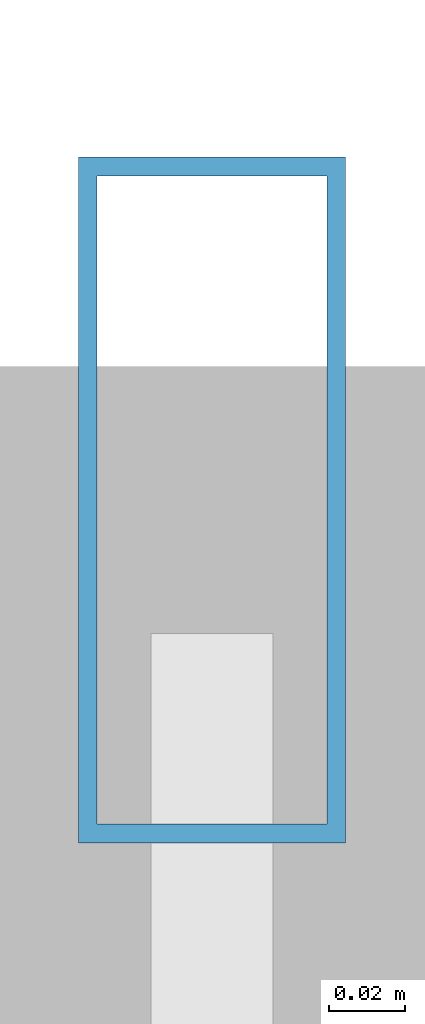
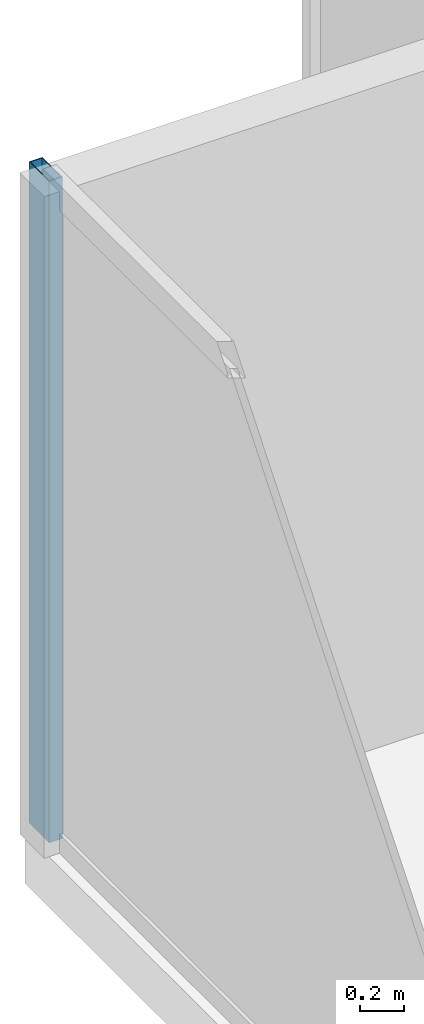
# One storey, part 17 of 28: 1 member, 1 element without a shape of its own.
"""IFC4 building model written with IfcOpenShell, lengths in metres."""

from ifc_helpers import new_model, si_unit, direction, frame, origin, origin_2d, place, context, subcontext, project, spatial, hollow_rectangle, extrude, source, transform, mapped, material, material_profile, profile_set, type_object, type_shapes, element, aggregate, save


model = new_model("IFC4")

# Units and contexts
model_context = context("Model", 3, precision=1e-05, world=origin(), true_north=direction((0.0, 1.0)))
body_context = subcontext(model_context, "Body", "Model", "MODEL_VIEW")
ifc_project = project(units=[si_unit("LENGTHUNIT", "METRE"), si_unit("AREAUNIT", "SQUARE_METRE"), si_unit("VOLUMEUNIT", "CUBIC_METRE"), si_unit("PLANEANGLEUNIT", "RADIAN"), si_unit("MASSUNIT", "GRAM", prefix="KILO")], contexts=[model_context])

# Site, building, storey
site_placement = place(None, origin())
site = spatial("IfcSite", under=ifc_project, at=site_placement, CompositionType="ELEMENT")
building_placement = place(site_placement, origin())
building = spatial("IfcBuilding", under=site, at=building_placement, Name="Krantzveldt Concourse Tower", CompositionType="ELEMENT")
storey_placement = place(building_placement, frame((0.0, 0.0, 32.89990234375)))
storey = spatial("IfcBuildingStorey", under=building, at=storey_placement, Name="L07", CompositionType="ELEMENT", Elevation=32.89990234375)

# Curtain wall, member
ifc_material = material(Name="Anodised aluminium 6063-T6", Category="aluminium")
curtain_wall_type = type_object("IfcCurtainWallType", Name="CW2", PredefinedType="USERDEFINED", material=ifc_material)
curtain_wall_placement = place(storey_placement, origin())
curtain_wall = element("IfcCurtainWall", 1, at=curtain_wall_placement, inside=storey, type_object=curtain_wall_type, Name="CW-L07-F01", ObjectType="UNITISED CURTAIN WALL", PredefinedType="USERDEFINED")
ifc_material_profile = material_profile(ifc_material, hollow_rectangle(XDim=0.070068359375, YDim=0.179931640625, WallThickness=0.0048828125, at=origin_2d()), Name="Anodised aluminium 6063-T6", Category="aluminium")
ifc_profile_set = profile_set([ifc_material_profile], Name="Anodised aluminium 6063-T6 - ALU-MULL 180x70x5")
member_type = type_object("IfcMemberType", Name="CW-MUL-180", PredefinedType="MULLION", material=ifc_profile_set)
shared_shape = source(origin(), body_context, "Body", "SweptSolid", [
    extrude(hollow_rectangle(XDim=0.070068359375, YDim=0.179931640625, WallThickness=0.0048828125, at=origin_2d()), origin(), (0.0, 0.0, 1.0), 3.670166015625),
])
type_shapes(member_type, [shared_shape])
member_placement = place(storey_placement, frame((11.090087890625, 48.1650390625, 0.0), z_axis=(0.0, 0.0, 1.0), x_axis=(1.0, 0.0, 0.0)))
member = element("IfcMember", 2, at=member_placement, type_object=member_type, Name="CW-Z12 mullion 1", PredefinedType="MULLION", context=body_context, shape_type="MappedRepresentation", body=[
    mapped(shared_shape, transform((0.0, 0.0, 0.0), x_axis=(1.0, 0.0, 0.0), y_axis=(0.0, 1.0, 0.0), z_axis=(0.0, 0.0, 1.0), scale=1.0)),
])
aggregate(curtain_wall, [member])

save(model, "model.ifc")
